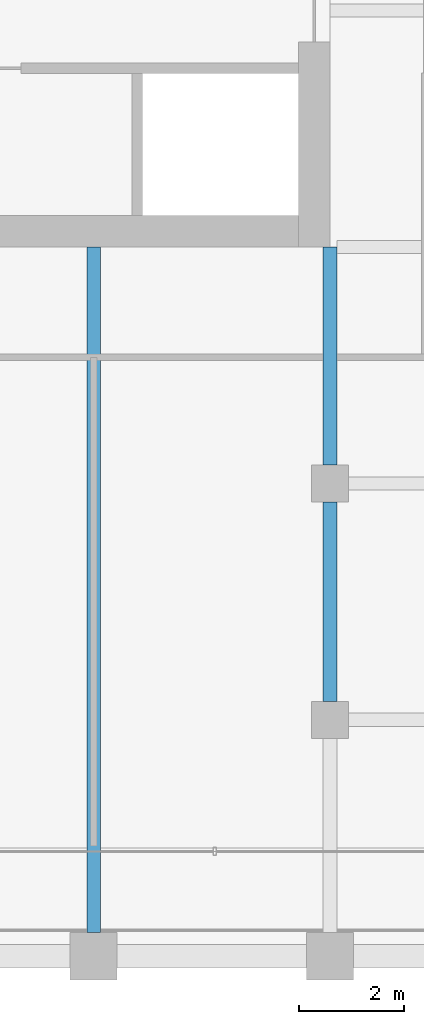
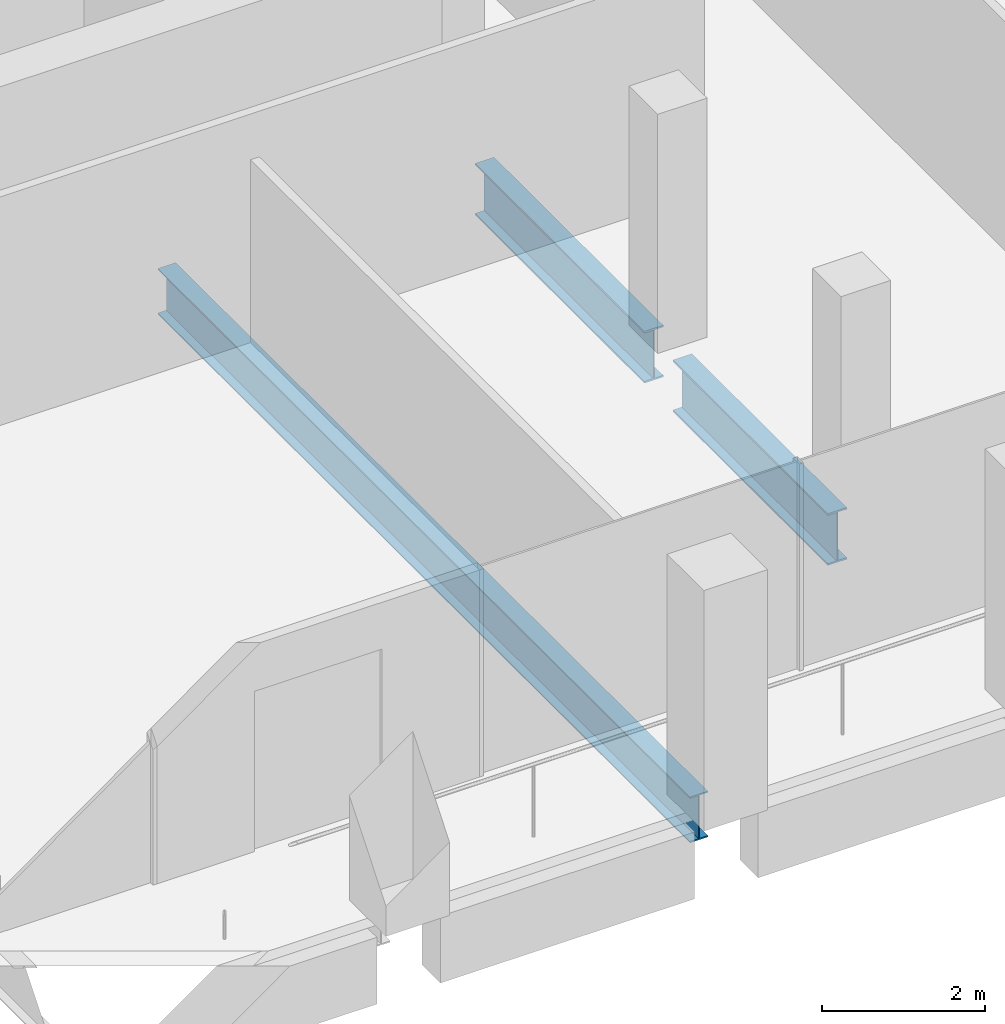
# One storey, part 10 of 40: 3 beams.
"""IFC4 building model written with IfcOpenShell, lengths in metres."""

from ifc_helpers import new_model, si_unit, direction, frame, origin, origin_2d, place, context, subcontext, project, spatial, i_section, extrude, material, material_profile, profile_set, type_object, element, save


model = new_model("IFC4")

# Units and contexts
model_context = context("Model", 3, precision=1e-05, world=origin(), true_north=direction((0.0, 1.0)))
body_context = subcontext(model_context, "Body", "Model", "MODEL_VIEW")
ifc_project = project(units=[si_unit("LENGTHUNIT", "METRE"), si_unit("AREAUNIT", "SQUARE_METRE"), si_unit("VOLUMEUNIT", "CUBIC_METRE"), si_unit("PLANEANGLEUNIT", "RADIAN"), si_unit("MASSUNIT", "GRAM", prefix="KILO")], contexts=[model_context])

# Site, building, storey
site_placement = place(None, origin())
site = spatial("IfcSite", under=ifc_project, at=site_placement, CompositionType="ELEMENT")
building_placement = place(site_placement, origin())
building = spatial("IfcBuilding", under=site, at=building_placement, Name="Altepetl Exchange Towers", CompositionType="ELEMENT")
storey_placement = place(building_placement, frame((0.0, 0.0, 154.60009765625)))
storey = spatial("IfcBuildingStorey", under=building, at=storey_placement, Name="L38", CompositionType="ELEMENT", Elevation=154.60009765625)

# Beams
ifc_material = material(Name="Steel S355", Category="steel")
ifc_material_profile_1 = material_profile(ifc_material, i_section(OverallWidth=0.25390625, OverallDepth=0.68408203125, WebThickness=0.012451171875, FlangeThickness=0.018798828125, at=origin_2d()), Name="W27X94")
ifc_profile_set_1 = profile_set([ifc_material_profile_1], Name="Steel S355")
beam_type_1 = type_object("IfcBeamType", Name="Floor beam W27X94", PredefinedType="BEAM", material=ifc_profile_set_1)
beam_1_placement = place(storey_placement, frame((54.0, 27.449951171875, -0.4921875), z_axis=(0.0, 1.0, 0.0), x_axis=(-1.0, 0.0, 0.0)))
element("IfcBeam", 1, at=beam_1_placement, inside=storey, type_object=beam_type_1, Name="bm:A:L38:017", PredefinedType="BEAM", context=body_context, shape_type="SweptSolid", body=[
    extrude(i_section(OverallWidth=0.25390625, OverallDepth=0.68408203125, WebThickness=0.012451171875, FlangeThickness=0.018798828125, at=origin_2d()), origin(), (0.0, 0.0, 1.0), 13.050048828125),
])
ifc_material_profile_2 = material_profile(ifc_material, i_section(OverallWidth=0.26806640625, OverallDepth=0.77392578125, WebThickness=0.015380859375, FlangeThickness=0.025390625, at=origin_2d()), Name="W30X132")
ifc_profile_set_2 = profile_set([ifc_material_profile_2], Name="Steel S355")
beam_type_2 = type_object("IfcBeamType", Name="Girder W30X132", PredefinedType="BEAM", material=ifc_profile_set_2)
beam_2_placement = place(storey_placement, frame((58.5, 40.5, -0.537109375), z_axis=(0.0, -1.0, 0.0), x_axis=(1.0, 0.0, 0.0)))
element("IfcBeam", 2, at=beam_2_placement, inside=storey, type_object=beam_type_2, Name="gd:A:L38:003", PredefinedType="BEAM", context=body_context, shape_type="SweptSolid", body=[
    extrude(i_section(OverallWidth=0.26806640625, OverallDepth=0.77392578125, WebThickness=0.015380859375, FlangeThickness=0.025390625, at=origin_2d()), origin(), (0.0, 0.0, 1.0), 4.14990234375),
])
beam_3_placement = place(storey_placement, frame((58.5, 35.64990234375, -0.537109375), z_axis=(0.0, -1.0, 0.0), x_axis=(1.0, 0.0, 0.0)))
element("IfcBeam", 3, at=beam_3_placement, inside=storey, type_object=beam_type_2, Name="gd:A:L38:004", PredefinedType="BEAM", context=body_context, shape_type="SweptSolid", body=[
    extrude(i_section(OverallWidth=0.26806640625, OverallDepth=0.77392578125, WebThickness=0.015380859375, FlangeThickness=0.025390625, at=origin_2d()), origin(), (0.0, 0.0, 1.0), 3.7998046875),
])

save(model, "model.ifc")
